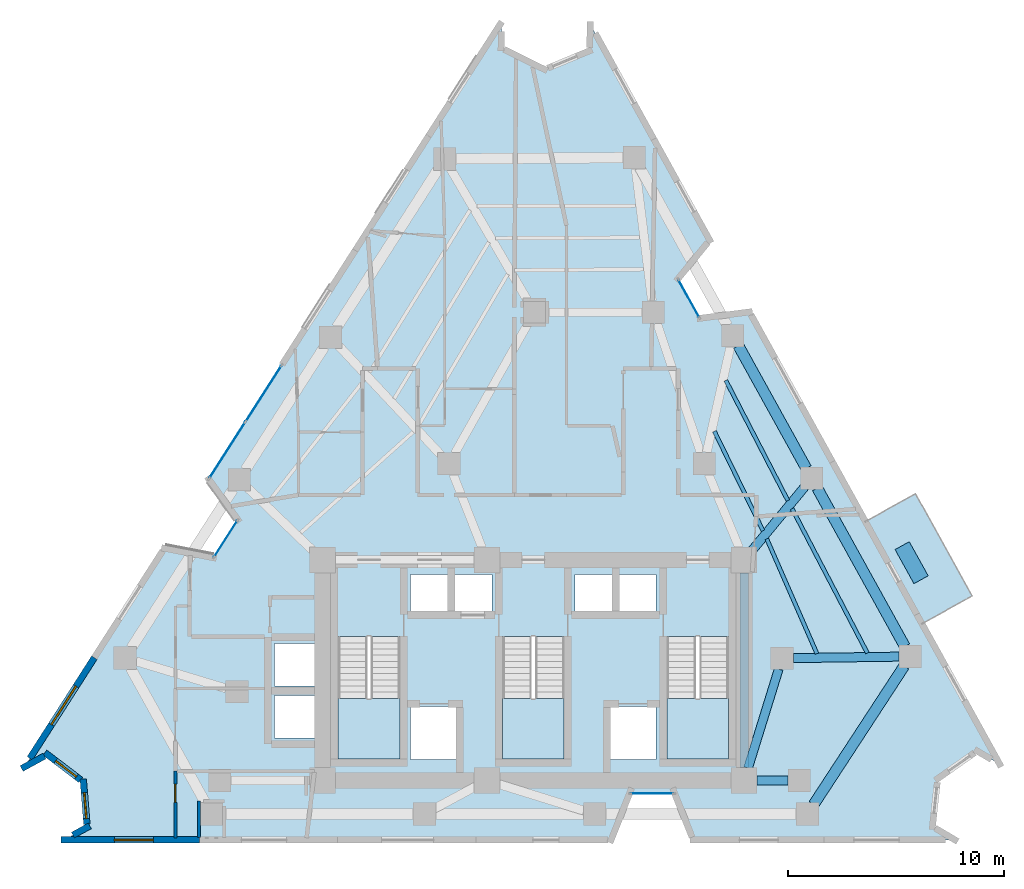
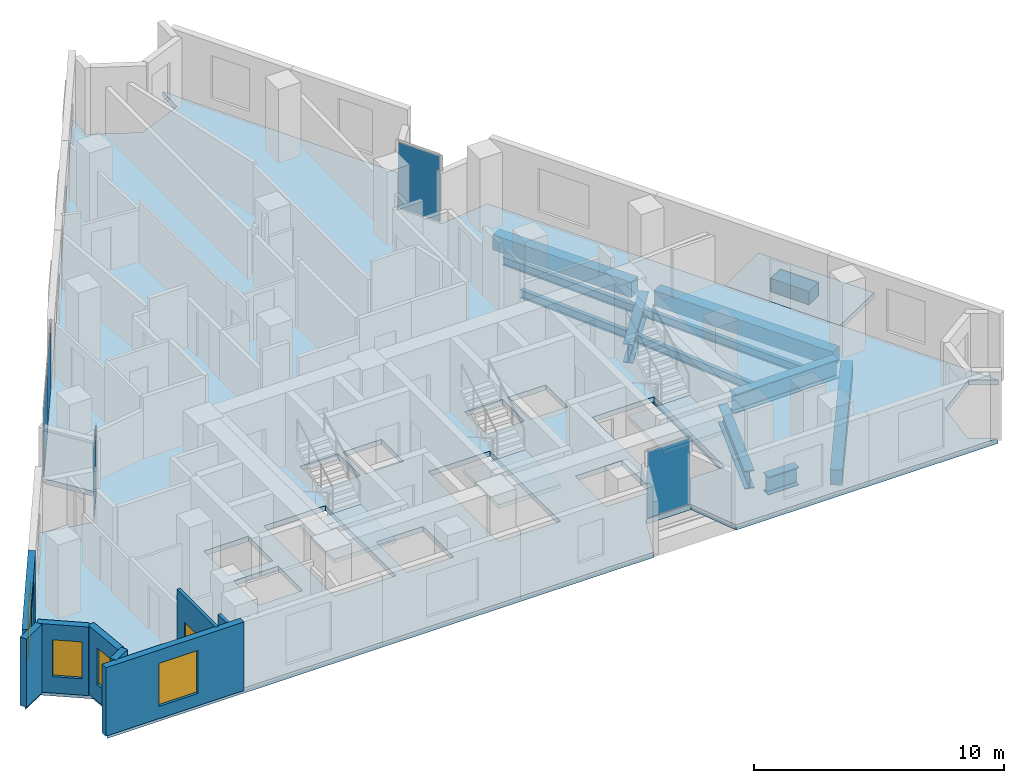
# One storey, part 4 of 11: 12 beams, 8 walls, 6 plates, 5 slabs, 4 windows, 1 door, 5 openings, 7 elements without a shape of their own.
"""IFC4 building model written with IfcOpenShell, lengths in metres."""

from ifc_helpers import new_model, si_unit, direction, frame, frame_2d, origin, origin_2d, place, context, subcontext, project, spatial, polyline, rectangle, i_section, outline, extrude, material, layer, layer_set, material_profile, profile_set, type_object, element, fill, aggregate, save


model = new_model("IFC4")

# Units and contexts
model_context = context("Model", 3, precision=1e-05, world=origin(), true_north=direction((0.0, 1.0)))
body_context = subcontext(model_context, "Body", "Model", "MODEL_VIEW")
ifc_project = project(units=[si_unit("LENGTHUNIT", "METRE"), si_unit("AREAUNIT", "SQUARE_METRE"), si_unit("VOLUMEUNIT", "CUBIC_METRE"), si_unit("PLANEANGLEUNIT", "RADIAN"), si_unit("MASSUNIT", "GRAM", prefix="KILO")], contexts=[model_context])

# Site, building, storey
site_placement = place(None, origin())
site = spatial("IfcSite", under=ifc_project, at=site_placement, CompositionType="ELEMENT")
building_placement = place(site_placement, origin())
building = spatial("IfcBuilding", under=site, at=building_placement, Name="Almagre Mirador Tower", CompositionType="ELEMENT")
storey_placement = place(building_placement, frame((0.0, 0.0, 157.199951171875)))
storey = spatial("IfcBuildingStorey", under=building, at=storey_placement, Name="L40", CompositionType="ELEMENT", Elevation=157.199951171875)

# Beams
ifc_material_1 = material(Name="Steel ASTM A992 Grade 50", Category="steel")
ifc_material_profile_1 = material_profile(ifc_material_1, i_section(OverallWidth=0.178955078125, OverallDepth=0.408935546875, WebThickness=0.0087890625, FlangeThickness=0.014404296875, FilletRadius=0.013916015625, at=origin_2d()), Name="W16X45")
ifc_profile_set_1 = profile_set([ifc_material_profile_1], Name="Steel ASTM A992 Grade 50")
beam_type_1 = type_object("IfcBeamType", Name="BM-JST-W16X45", PredefinedType="JOIST", material=ifc_profile_set_1)
beam_1_placement = place(storey_placement, frame((52.744873046875, 10.44189453125, -0.454345703125), z_axis=(-0.462461864281, 0.886639173557, 0.0), x_axis=(-0.886639173557, -0.462461864281, 0.0)))
element("IfcBeam", 1, at=beam_1_placement, inside=storey, type_object=beam_type_1, Name="L40 secondary floor joist PC05-PC06.1", PredefinedType="JOIST", context=body_context, shape_type="SweptSolid", body=[
    extrude(i_section(OverallWidth=0.178955078125, OverallDepth=0.408935546875, WebThickness=0.0087890625, FlangeThickness=0.014404296875, FilletRadius=0.013916015625, at=origin_2d()), origin(), (0.0, 0.0, 1.0), 7.53125),
])
beam_2_placement = place(storey_placement, frame((50.413330078125, 10.415283203125, -0.454345703125), z_axis=(-0.400714832281, 0.91620282863, 0.0), x_axis=(-0.91620282863, -0.400714832281, 0.0)))
element("IfcBeam", 2, at=beam_2_placement, inside=storey, type_object=beam_type_1, Name="L40 secondary floor joist PC05-PC06.3", PredefinedType="JOIST", context=body_context, shape_type="SweptSolid", body=[
    extrude(i_section(OverallWidth=0.178955078125, OverallDepth=0.408935546875, WebThickness=0.0087890625, FlangeThickness=0.014404296875, FilletRadius=0.013916015625, at=origin_2d()), origin(), (0.0, 0.0, 1.0), 5.7880859375),
])
beam_3_placement = place(storey_placement, frame((49.069580078125, 17.490478515625, -0.454345703125), z_axis=(-0.458793060053, 0.888543149232, 0.0), x_axis=(-0.888543149232, -0.458793060053, 0.0)))
element("IfcBeam", 3, at=beam_3_placement, inside=storey, type_object=beam_type_1, Name="L40 secondary floor joist PC06-PC07.1", PredefinedType="JOIST", context=body_context, shape_type="SweptSolid", body=[
    extrude(i_section(OverallWidth=0.178955078125, OverallDepth=0.408935546875, WebThickness=0.0087890625, FlangeThickness=0.014404296875, FilletRadius=0.013916015625, at=origin_2d()), origin(), (0.0, 0.0, 1.0), 6.254150390625),
])
beam_4_placement = place(storey_placement, frame((47.91845703125, 16.097412109375, -0.454345703125), z_axis=(-0.439128899416, 0.898424070079, 0.0), x_axis=(-0.898424070079, -0.439128899416, 0.0)))
element("IfcBeam", 4, at=beam_4_placement, inside=storey, type_object=beam_type_1, Name="L40 secondary floor joist PC06-PC07.3", PredefinedType="JOIST", context=body_context, shape_type="SweptSolid", body=[
    extrude(i_section(OverallWidth=0.178955078125, OverallDepth=0.408935546875, WebThickness=0.0087890625, FlangeThickness=0.014404296875, FilletRadius=0.013916015625, at=origin_2d()), origin(), (0.0, 0.0, 1.0), 5.12109375),
])
ifc_material_2 = material(Name="Precast concrete C50/60", Category="concrete")
ifc_material_profile_2 = material_profile(ifc_material_2, rectangle(XDim=0.5, YDim=0.75, at=origin_2d()), Name="RC500X750")
ifc_profile_set_2 = profile_set([ifc_material_profile_2], Name="Precast concrete C50/60")
beam_type_2 = type_object("IfcBeamType", Name="BM-SPN-RC500X750", PredefinedType="SPANDREL", material=ifc_profile_set_2)
beam_5_placement = place(storey_placement, frame((50.26318359375, 3.439453125, -0.625), z_axis=(0.546935461459, 0.83717477327, 0.0), x_axis=(-0.83717477327, 0.546935461459, 0.0)))
element("IfcBeam", 5, at=beam_5_placement, inside=storey, type_object=beam_type_2, Name="L40 perimeter spandrel beam PC04-PC05", PredefinedType="SPANDREL", context=body_context, shape_type="SweptSolid", body=[
    extrude(rectangle(XDim=0.5, YDim=0.75, at=origin_2d()), origin(), (0.0, 0.0, 1.0), 7.649658203125),
])
beam_6_placement = place(storey_placement, frame((54.479736328125, 10.742431640625, -0.625), z_axis=(-0.484193045523, 0.874961196092, 0.0), x_axis=(-0.874961196092, -0.484193045523, 0.0)))
element("IfcBeam", 6, at=beam_6_placement, inside=storey, type_object=beam_type_2, Name="L40 perimeter spandrel beam PC05-PC06", PredefinedType="SPANDREL", context=body_context, shape_type="SweptSolid", body=[
    extrude(rectangle(XDim=0.5, YDim=0.75, at=origin_2d()), origin(), (0.0, 0.0, 1.0), 8.36767578125),
])
beam_7_placement = place(storey_placement, frame((49.919921875, 18.982421875, -0.625), z_axis=(-0.484219637984, 0.874946479615, 0.0), x_axis=(-0.874946479615, -0.484219637984, 0.0)))
element("IfcBeam", 7, at=beam_7_placement, inside=storey, type_object=beam_type_2, Name="L40 perimeter spandrel beam PC06-PC07", PredefinedType="SPANDREL", context=body_context, shape_type="SweptSolid", body=[
    extrude(rectangle(XDim=0.5, YDim=0.75, at=origin_2d()), origin(), (0.0, 0.0, 1.0), 6.48388671875),
])
ifc_material_3 = material(Name="Steel ASTM A992 Grade 50", Category="steel")
ifc_material_profile_3 = material_profile(ifc_material_3, i_section(OverallWidth=0.404052734375, OverallDepth=0.884033203125, WebThickness=0.0244140625, FlangeThickness=0.0439453125, FilletRadius=0.02490234375, at=origin_2d()), Name="W33X291")
ifc_profile_set_3 = profile_set([ifc_material_profile_3], Name="Steel ASTM A992 Grade 50")
beam_type_3 = type_object("IfcBeamType", Name="BM-STL-W33X291", PredefinedType="BEAM", material=ifc_profile_set_3)
beam_8_placement = place(storey_placement, frame((47.050048828125, 5.14990234375, -0.69189453125), z_axis=(0.0, 1.0, 0.0), x_axis=(-1.0, 0.0, 0.0)))
element("IfcBeam", 8, at=beam_8_placement, inside=storey, type_object=beam_type_3, Name="L40 core tie girder CC3-CC6", PredefinedType="BEAM", context=body_context, shape_type="SweptSolid", body=[
    extrude(i_section(OverallWidth=0.404052734375, OverallDepth=0.884033203125, WebThickness=0.0244140625, FlangeThickness=0.0439453125, FilletRadius=0.02490234375, at=origin_2d()), origin(), (0.0, 0.0, 1.0), 9.0),
])
beam_9_placement = place(storey_placement, frame((49.074951171875, 4.550048828125, -0.69189453125), z_axis=(-1.0, 0.0, 0.0), x_axis=(0.0, -1.0, 0.0)))
element("IfcBeam", 9, at=beam_9_placement, inside=storey, type_object=beam_type_3, Name="L40 core tie girder MC2-CC3", PredefinedType="BEAM", context=body_context, shape_type="SweptSolid", body=[
    extrude(i_section(OverallWidth=0.404052734375, OverallDepth=0.884033203125, WebThickness=0.0244140625, FlangeThickness=0.0439453125, FilletRadius=0.02490234375, at=origin_2d()), origin(), (0.0, 0.0, 1.0), 1.425048828125),
])
beam_10_placement = place(storey_placement, frame((48.644775390625, 9.698486328125, -0.69189453125), z_axis=(-0.295879743348, -0.955225197258, 0.0), x_axis=(0.955225197258, -0.295879743348, 0.0)))
element("IfcBeam", 10, at=beam_10_placement, inside=storey, type_object=beam_type_3, Name="L40 core tie girder MC3-CC3", PredefinedType="BEAM", context=body_context, shape_type="SweptSolid", body=[
    extrude(i_section(OverallWidth=0.404052734375, OverallDepth=0.884033203125, WebThickness=0.0244140625, FlangeThickness=0.0439453125, FilletRadius=0.02490234375, at=origin_2d()), origin(), (0.0, 0.0, 1.0), 4.789794921875),
])
ifc_material_4 = material(Name="Steel ASTM A992 Grade 50", Category="steel")
ifc_material_profile_4 = material_profile(ifc_material_4, i_section(OverallWidth=0.41796875, OverallDepth=0.927001953125, WebThickness=0.019287109375, FlangeThickness=0.031982421875, FilletRadius=0.028076171875, at=origin_2d()), Name="W36X231")
ifc_profile_set_4 = profile_set([ifc_material_profile_4], Name="Steel ASTM A992 Grade 50")
beam_type_4 = type_object("IfcBeamType", Name="BM-STL-W36X231", PredefinedType="BEAM", material=ifc_profile_set_4)
beam_11_placement = place(storey_placement, frame((54.208984375, 10.275634765625, -0.71337890625), z_axis=(-0.999902063371, -0.013995130105, 0.0), x_axis=(0.013995130105, -0.999902063371, 0.0)))
element("IfcBeam", 11, at=beam_11_placement, inside=storey, type_object=beam_type_4, Name="L40 radial floor girder PC05-MC3", PredefinedType="BEAM", context=body_context, shape_type="SweptSolid", body=[
    extrude(i_section(OverallWidth=0.41796875, OverallDepth=0.927001953125, WebThickness=0.019287109375, FlangeThickness=0.031982421875, FilletRadius=0.028076171875, at=origin_2d()), origin(), (0.0, 0.0, 1.0), 4.884521484375),
])
beam_12_placement = place(storey_placement, frame((49.839111328125, 18.11865234375, -0.71337890625), z_axis=(-0.637743806267, -0.770248555707, 0.0), x_axis=(0.770248555707, -0.637743806267, 0.0)))
element("IfcBeam", 12, at=beam_12_placement, inside=storey, type_object=beam_type_4, Name="L40 radial floor girder PC06-CC6", PredefinedType="BEAM", context=body_context, shape_type="SweptSolid", body=[
    extrude(i_section(OverallWidth=0.41796875, OverallDepth=0.927001953125, WebThickness=0.019287109375, FlangeThickness=0.031982421875, FilletRadius=0.028076171875, at=origin_2d()), origin(), (0.0, 0.0, 1.0), 3.7734375),
])

# Curtain wall, plate
ifc_material_5 = material(Name="Black anodized aluminium", Category="aluminium")
ifc_layer_1 = layer(ifc_material_5, 0.169921875)
ifc_layer_set_1 = layer_set([ifc_layer_1], Name="Black anodized aluminium")
curtain_wall_type_1 = type_object("IfcCurtainWallType", Name="CW-CRS-SYS", PredefinedType="NOTDEFINED", material=ifc_layer_set_1)
curtain_wall_1_placement = place(storey_placement, origin())
curtain_wall_1 = element("IfcCurtainWall", 13, at=curtain_wall_1_placement, inside=storey, type_object=curtain_wall_type_1, Name="L40 vertical crease curtain wall 01", PredefinedType="NOTDEFINED")
ifc_material_6 = material(Name="Dark solar-control laminated hurricane glass", Category="glass")
ifc_layer_2 = layer(ifc_material_6, 0.028076171875)
ifc_layer_set_2 = layer_set([ifc_layer_2], Name="Dark solar-control laminated hurricane glass")
plate_type_1 = type_object("IfcPlateType", Name="PLT-GLZ-28", PredefinedType="CURTAIN_PANEL", material=ifc_layer_set_2)
plate_1_placement = place(storey_placement, frame((23.076904296875, 15.72607421875, 0.06005859375), z_axis=(0.0, 0.0, 1.0), x_axis=(0.539596564827, 0.841923718176, 0.0)))
plate_1 = element("IfcPlate", 14, at=plate_1_placement, type_object=plate_type_1, Name="CW-4 panel 1.1", PredefinedType="CURTAIN_PANEL", context=body_context, shape_type="SweptSolid", body=[
    extrude(rectangle(XDim=1.970458984375, YDim=0.028076171875, at=origin_2d()), origin(), (0.0, 0.0, 1.0), 3.22998046875),
])
aggregate(curtain_wall_1, [plate_1])

curtain_wall_2_placement = place(storey_placement, origin())
curtain_wall_2 = element("IfcCurtainWall", 15, at=curtain_wall_2_placement, inside=storey, type_object=curtain_wall_type_1, Name="L40 vertical crease curtain wall 03", PredefinedType="NOTDEFINED")
plate_2_placement = place(storey_placement, frame((44.490966796875, 26.8310546875, 0.06005859375), z_axis=(0.0, 0.0, 1.0), x_axis=(0.48434204979, -0.874878722341, 0.0)))
plate_2 = element("IfcPlate", 16, at=plate_2_placement, type_object=plate_type_1, Name="CW-4 panel 1.1", PredefinedType="CURTAIN_PANEL", context=body_context, shape_type="SweptSolid", body=[
    extrude(rectangle(XDim=1.969482421875, YDim=0.028076171875, at=origin_2d()), origin(), (0.0, 0.0, 1.0), 3.22998046875),
])
aggregate(curtain_wall_2, [plate_2])

curtain_wall_3_placement = place(storey_placement, origin())
curtain_wall_3 = element("IfcCurtainWall", 17, at=curtain_wall_3_placement, inside=storey, type_object=curtain_wall_type_1, Name="L40 vertical crease curtain wall 04", PredefinedType="NOTDEFINED")
plate_3_placement = place(storey_placement, frame((42.7919921875, 3.949951171875, 0.06005859375), z_axis=(0.0, 0.0, 1.0), x_axis=(-1.0, 0.0, 0.0)))
plate_3 = element("IfcPlate", 18, at=plate_3_placement, type_object=plate_type_1, Name="CW-4 panel 1.1", PredefinedType="CURTAIN_PANEL", context=body_context, shape_type="SweptSolid", body=[
    extrude(rectangle(XDim=1.969970703125, YDim=0.028076171875, at=origin_2d()), origin(), (0.0, 0.0, 1.0), 3.22998046875),
])
aggregate(curtain_wall_3, [plate_3])

# Curtain wall, plates
ifc_material_7 = material(Name="Black anodized aluminium", Category="aluminium")
ifc_layer_3 = layer(ifc_material_7, 0.199951171875)
ifc_layer_set_3 = layer_set([ifc_layer_3], Name="Black anodized aluminium")
curtain_wall_type_2 = type_object("IfcCurtainWallType", Name="CW-RES-H-SYS", PredefinedType="NOTDEFINED", material=ifc_layer_set_3)
curtain_wall_4_placement = place(storey_placement, origin())
curtain_wall_4 = element("IfcCurtainWall", 19, at=curtain_wall_4_placement, inside=storey, type_object=curtain_wall_type_2, Name="L40 curtain wall run 02", PredefinedType="NOTDEFINED")
ifc_material_8 = material(Name="Dark solar-control laminated hurricane glass", Category="glass")
ifc_layer_4 = layer(ifc_material_8, 0.035888671875)
ifc_layer_set_4 = layer_set([ifc_layer_4], Name="Dark solar-control laminated hurricane glass")
plate_type_2 = type_object("IfcPlateType", Name="PLT-GLZ-36", PredefinedType="CURTAIN_PANEL", material=ifc_layer_set_4)
plate_4_placement = place(storey_placement, frame((23.147705078125, 19.8203125, 0.06494140625), z_axis=(0.0, 0.0, 1.0), x_axis=(0.539506915253, 0.841981168669, 0.0)))
plate_4 = element("IfcPlate", 20, at=plate_4_placement, type_object=plate_type_2, Name="CW-3 panel 1.1", PredefinedType="CURTAIN_PANEL", context=body_context, shape_type="SweptSolid", body=[
    extrude(rectangle(XDim=3.0419921875, YDim=0.035888671875, at=origin_2d()), origin(), (0.0, 0.0, 1.0), 3.219970703125),
])
plate_5_placement = place(storey_placement, frame((24.823974609375, 22.436279296875, 0.06494140625), z_axis=(0.0, 0.0, 1.0), x_axis=(0.539506915253, 0.841981168669, 0.0)))
plate_5 = element("IfcPlate", 21, at=plate_5_placement, type_object=plate_type_2, Name="CW-3 panel 2.1", PredefinedType="CURTAIN_PANEL", context=body_context, shape_type="SweptSolid", body=[
    extrude(rectangle(XDim=3.0419921875, YDim=0.035888671875, at=origin_2d()), origin(), (0.0, 0.0, 1.0), 3.219970703125),
])
aggregate(curtain_wall_4, [plate_4, plate_5])

# Plate
ifc_material_9 = material(Name="Precast concrete C50/60", Category="concrete")
ifc_layer_5 = layer(ifc_material_9, 0.64990234375)
ifc_layer_set_5 = layer_set([ifc_layer_5], Name="Precast concrete C50/60")
plate_type_3 = type_object("IfcPlateType", Name="PLT-PLANTER-1800", PredefinedType="USERDEFINED", material=ifc_layer_set_5)
plate_6_placement = place(storey_placement, frame((54.791015625, 14.6201171875, 0.0), z_axis=(0.0, 0.0, 1.0), x_axis=(-0.484198902407, 0.874957954937, 0.0)))
element("IfcPlate", 22, at=plate_6_placement, inside=storey, type_object=plate_type_3, Name="L40 east balcony structural tree planter 1", ObjectType="PLANTER", PredefinedType="USERDEFINED", context=body_context, shape_type="SweptSolid", body=[
    extrude(rectangle(XDim=1.800048828125, YDim=0.75, at=origin_2d()), origin(), (0.0, 0.0, 1.0), 0.64990234375),
])

# Slabs
ifc_material_10 = material(Name="Concrete C45/55", Category="concrete")
ifc_layer_6 = layer(ifc_material_10, 0.239990234375)
ifc_layer_set_6 = layer_set([ifc_layer_6], Name="Concrete C45/55")
slab_type_1 = type_object("IfcSlabType", Name="SLB-BAL-240", PredefinedType="USERDEFINED", material=ifc_layer_set_6)
slab_1_placement = place(storey_placement, frame((0.0, 0.0, -0.239990234375)))
element("IfcSlab", 23, at=slab_1_placement, inside=storey, type_object=slab_type_1, Name="L40 east planted tree balcony 1", ObjectType="BALCONY", PredefinedType="USERDEFINED", context=body_context, shape_type="SweptSolid", body=[
    extrude(outline(polyline([(55.25, 11.7880859375), (52.635986328125, 16.511962890625), (54.970947265625, 17.805908203125), (57.5859375, 13.0810546875), (55.25, 11.7880859375)])), origin(), (0.0, 0.0, 1.0), 0.239990234375),
])
ifc_material_11 = material(Name="Concrete C45/55", Category="concrete")
ifc_layer_7 = layer(ifc_material_11, 0.25)
ifc_layer_set_7 = layer_set([ifc_layer_7], Name="Concrete C45/55")
slab_type_2 = type_object("IfcSlabType", Name="SLB-FLR-250", PredefinedType="FLOOR", material=ifc_layer_set_7)
slab_2_placement = place(storey_placement, frame((0.0, 0.0, -0.25)))
element("IfcSlab", 24, at=slab_2_placement, inside=storey, type_object=slab_type_2, Name="L40 structural floor slab", PredefinedType="FLOOR", context=body_context, shape_type="SweptSolid", body=[
    extrude(outline(polyline([(13.758056640625, 5.16796875), (14.823974609375, 5.7509765625), (16.49609375, 4.47705078125), (16.666015625, 2.383056640625), (15.60009765625, 1.800048828125), (40.89208984375, 1.800048828125), (41.7470703125, 3.949951171875), (43.8369140625, 3.949951171875), (44.69189453125, 1.800048828125), (56.800048828125, 1.800048828125), (55.7529296875, 2.4169921875), (55.992919921875, 4.634033203125), (57.81689453125, 5.9169921875), (58.863037109375, 5.300048828125), (47.2919921875, 26.2099609375), (44.9970703125, 25.9169921875), (43.985107421875, 27.7451171875), (45.451904296875, 29.533935546875), (39.93701171875, 39.5), (39.89794921875, 38.285888671875), (37.820068359375, 37.423095703125), (35.802978515625, 38.41796875), (35.842041015625, 39.632080078125), (22.2919921875, 18.485107421875), (23.64111328125, 16.60595703125), (22.512939453125, 14.845947265625), (20.240966796875, 15.285888671875), (13.758056640625, 5.16796875)]), holes=[polyline([(43.47509765625, 5.550048828125), (43.47509765625, 11.196044921875), (46.324951171875, 11.196044921875), (46.324951171875, 5.550048828125), (43.47509765625, 5.550048828125)]), polyline([(40.820068359375, 5.52001953125), (40.820068359375, 7.97998046875), (42.97998046875, 7.97998046875), (42.97998046875, 5.52001953125), (40.820068359375, 5.52001953125)]), polyline([(41.219970703125, 12.320068359375), (41.219970703125, 14.080078125), (42.97998046875, 14.080078125), (42.97998046875, 12.320068359375), (41.219970703125, 12.320068359375)]), polyline([(39.219970703125, 12.320068359375), (39.219970703125, 14.080078125), (40.97998046875, 14.080078125), (40.97998046875, 12.320068359375), (39.219970703125, 12.320068359375)]), polyline([(35.875, 11.196044921875), (38.72509765625, 11.196044921875), (38.72509765625, 5.550048828125), (35.875, 5.550048828125), (35.875, 11.196044921875)]), polyline([(35.3798828125, 12.320068359375), (33.6201171875, 12.320068359375), (33.6201171875, 14.080078125), (35.3798828125, 14.080078125), (35.3798828125, 12.320068359375)]), polyline([(33.780029296875, 5.52001953125), (31.6201171875, 5.52001953125), (31.6201171875, 7.97998046875), (33.780029296875, 7.97998046875), (33.780029296875, 5.52001953125)]), polyline([(31.6201171875, 12.320068359375), (31.6201171875, 14.080078125), (33.3798828125, 14.080078125), (33.3798828125, 12.320068359375), (31.6201171875, 12.320068359375)]), polyline([(28.27490234375, 5.550048828125), (28.27490234375, 11.196044921875), (31.125, 11.196044921875), (31.125, 5.550048828125), (28.27490234375, 5.550048828125)]), polyline([(25.320068359375, 8.919921875), (25.320068359375, 10.8798828125), (27.3798828125, 10.8798828125), (27.3798828125, 8.919921875), (25.320068359375, 8.919921875)]), polyline([(27.3798828125, 6.52001953125), (25.320068359375, 6.52001953125), (25.320068359375, 8.47998046875), (27.3798828125, 8.47998046875), (27.3798828125, 6.52001953125)])]), origin(), (0.0, 0.0, 1.0), 0.25),
])

# Stair, slab
ifc_material_12 = material(Name="Concrete C45/55", Category="concrete")
stair_type = type_object("IfcStairType", Name="STR-DL-3600", PredefinedType="HALF_TURN_STAIR", material=ifc_material_12)
stair_1_placement = place(storey_placement, origin())
stair_1 = element("IfcStair", 25, at=stair_1_placement, inside=storey, type_object=stair_type, Name="L40 Protected exit stair ST-1", PredefinedType="HALF_TURN_STAIR")
ifc_material_13 = material(Name="Concrete C45/55", Category="concrete")
ifc_layer_8 = layer(ifc_material_13, 0.199951171875)
ifc_layer_set_8 = layer_set([ifc_layer_8], Name="Concrete C45/55")
slab_type_3 = type_object("IfcSlabType", Name="SLB-LND-200", PredefinedType="LANDING", material=ifc_layer_set_8)
slab_3_placement = place(storey_placement, frame((0.0, 0.0, 1.60009765625)))
slab_3 = element("IfcSlab", 26, at=slab_3_placement, type_object=slab_type_3, Name="ST-1 landing 1", PredefinedType="LANDING", context=body_context, shape_type="SweptSolid", body=[
    extrude(outline(polyline([(28.27490234375, 8.35009765625), (28.27490234375, 5.550048828125), (31.125, 5.550048828125), (31.125, 8.35009765625), (28.27490234375, 8.35009765625)])), origin(), (0.0, 0.0, 1.0), 0.199951171875),
])
aggregate(stair_1, [slab_3])

stair_2_placement = place(storey_placement, origin())
stair_2 = element("IfcStair", 27, at=stair_2_placement, inside=storey, type_object=stair_type, Name="L40 Protected exit stair ST-2", PredefinedType="HALF_TURN_STAIR")
slab_4_placement = place(storey_placement, frame((0.0, 0.0, 1.60009765625)))
slab_4 = element("IfcSlab", 28, at=slab_4_placement, type_object=slab_type_3, Name="ST-2 landing 1", PredefinedType="LANDING", context=body_context, shape_type="SweptSolid", body=[
    extrude(outline(polyline([(35.875, 8.35009765625), (35.875, 5.550048828125), (38.72509765625, 5.550048828125), (38.72509765625, 8.35009765625), (35.875, 8.35009765625)])), origin(), (0.0, 0.0, 1.0), 0.199951171875),
])
aggregate(stair_2, [slab_4])

stair_3_placement = place(storey_placement, origin())
stair_3 = element("IfcStair", 29, at=stair_3_placement, inside=storey, type_object=stair_type, Name="L40 Protected exit stair ST-3", PredefinedType="HALF_TURN_STAIR")
slab_5_placement = place(storey_placement, frame((0.0, 0.0, 1.60009765625)))
slab_5 = element("IfcSlab", 30, at=slab_5_placement, type_object=slab_type_3, Name="ST-3 landing 1", PredefinedType="LANDING", context=body_context, shape_type="SweptSolid", body=[
    extrude(outline(polyline([(43.47509765625, 8.35009765625), (43.47509765625, 5.550048828125), (46.324951171875, 5.550048828125), (46.324951171875, 8.35009765625), (43.47509765625, 8.35009765625)])), origin(), (0.0, 0.0, 1.0), 0.199951171875),
])
aggregate(stair_3, [slab_5])

# Wall, opening, window
ifc_material_14 = material(Name="Precast concrete C50/60", Category="concrete")
ifc_layer_9 = layer(ifc_material_14, 0.300048828125)
ifc_layer_set_9 = layer_set([ifc_layer_9], Name="Precast concrete C50/60")
wall_type_1 = type_object("IfcWallType", Name="WAL-EXT-300", PredefinedType="SOLIDWALL", material=ifc_layer_set_9)
wall_1_placement = place(storey_placement, frame((21.85302734375, 1.800048828125, 0.0), z_axis=(0.0, 0.0, 1.0), x_axis=(-1.0, 0.0, 0.0)))
wall_1 = element("IfcWall", 31, at=wall_1_placement, inside=storey, type_object=wall_type_1, Name="L40 expressed almagre precast frame wall 28", PredefinedType="SOLIDWALL", context=body_context, shape_type="SweptSolid", body=[
    extrude(rectangle(XDim=6.39306640625, YDim=0.300048828125, at=frame_2d((3.196533203125, 0.0))), origin(), (0.0, 0.0, 1.0), 3.35009765625),
])
opening_1_placement = place(wall_1_placement, frame((2.125, 0.0, 0.60009765625)))
opening_1 = element("IfcOpeningElement", 32, at=opening_1_placement, cuts=wall_1, Name="Opening WN-01", PredefinedType="OPENING", context=body_context, shape_type="SweptSolid", body=[
    extrude(rectangle(XDim=1.800048828125, YDim=2.10009765625, at=frame_2d((0.89990234375, 1.050048828125))), frame((0.0, 0.159902, 0.0), z_axis=(0.0, -1.0, 0.0), x_axis=(1.0, 0.0, 0.0)), (0.0, 0.0, 1.0), 0.320049),
])
ifc_material_15 = material(Name="Dark solar-control laminated hurricane glass", Category="glass")
window_type_1 = type_object("IfcWindowType", Name="WIN-1800X2100", PartitioningType="DOUBLE_PANEL_VERTICAL", PredefinedType="WINDOW", material=ifc_material_15)
window_1_placement = place(opening_1_placement, origin())
window_1 = element("IfcWindow", 33, at=window_1_placement, inside=storey, type_object=window_type_1, Name="L40 recessed hurricane window L40-UA-LV", OverallHeight=2.10009765625, OverallWidth=1.800048828125, PartitioningType="SINGLE_PANEL", PredefinedType="WINDOW", context=body_context, shape_type="SweptSolid", body=[
    extrude(rectangle(XDim=1.800048828125, YDim=2.10009765625, at=frame_2d((0.89990234375, 1.050048828125))), frame((0.0, 0.030029296875, 0.0), z_axis=(0.0, -1.0, 0.0), x_axis=(1.0, 0.0, 0.0)), (0.0, 0.0, 1.0), 0.06005859375),
])
fill(opening_1, window_1)

# Wall
wall_2_placement = place(storey_placement, frame((16.012451171875, 2.025390625, 0.0), z_axis=(0.0, 0.0, 1.0), x_axis=(0.877262241919, 0.480011415389, 0.0)))
element("IfcWall", 34, at=wall_2_placement, inside=storey, type_object=wall_type_1, Name="L40 expressed almagre precast frame wall 29", PredefinedType="SOLIDWALL", context=body_context, shape_type="SweptSolid", body=[
    extrude(rectangle(XDim=0.885009765625, YDim=0.300048828125, at=frame_2d((0.4423828125, 0.0))), origin(), (0.0, 0.0, 1.0), 3.35009765625),
])

# Wall, opening, window
wall_3_placement = place(storey_placement, frame((16.654296875, 2.527587890625, 0.0), z_axis=(0.0, 0.0, 1.0), x_axis=(-0.080962879454, 0.996717117416, 0.0)))
wall_3 = element("IfcWall", 35, at=wall_3_placement, inside=storey, type_object=wall_type_1, Name="L40 expressed almagre precast frame wall 30", PredefinedType="SOLIDWALL", context=body_context, shape_type="SweptSolid", body=[
    extrude(rectangle(XDim=2.095703125, YDim=0.300048828125, at=frame_2d((1.0478515625, 0.0))), origin(), (0.0, 0.0, 1.0), 3.35009765625),
])
opening_2_placement = place(wall_3_placement, frame((0.264892578125, 0.0, 0.800048828125)))
opening_2 = element("IfcOpeningElement", 36, at=opening_2_placement, cuts=wall_3, Name="Opening WN-04", PredefinedType="OPENING", context=body_context, shape_type="SweptSolid", body=[
    extrude(rectangle(XDim=1.199951171875, YDim=1.800048828125, at=frame_2d((0.60009765625, 0.89990234375))), frame((0.0, 0.159902, 0.0), z_axis=(0.0, -1.0, 0.0), x_axis=(1.0, 0.0, 0.0)), (0.0, 0.0, 1.0), 0.320049),
])
ifc_material_16 = material(Name="Dark solar-control laminated hurricane glass", Category="glass")
window_type_2 = type_object("IfcWindowType", Name="WIN-1200X1800", PartitioningType="SINGLE_PANEL", PredefinedType="WINDOW", material=ifc_material_16)
window_2_placement = place(opening_2_placement, origin())
window_2 = element("IfcWindow", 37, at=window_2_placement, inside=storey, type_object=window_type_2, Name="L40 recessed hurricane window L40-UA-LV", OverallHeight=1.800048828125, OverallWidth=1.199951171875, PartitioningType="SINGLE_PANEL", PredefinedType="WINDOW", context=body_context, shape_type="SweptSolid", body=[
    extrude(rectangle(XDim=1.199951171875, YDim=1.800048828125, at=frame_2d((0.60009765625, 0.89990234375))), frame((0.0, 0.030029296875, 0.0), z_axis=(0.0, -1.0, 0.0), x_axis=(1.0, 0.0, 0.0)), (0.0, 0.0, 1.0), 0.06005859375),
])
fill(opening_2, window_2)

wall_4_placement = place(storey_placement, frame((16.376708984375, 4.56787109375, 0.0), z_axis=(0.0, 0.0, 1.0), x_axis=(-0.795383499791, 0.606106499107, 0.0)))
wall_4 = element("IfcWall", 38, at=wall_4_placement, inside=storey, type_object=wall_type_1, Name="L40 expressed almagre precast frame wall 31", PredefinedType="SOLIDWALL", context=body_context, shape_type="SweptSolid", body=[
    extrude(rectangle(XDim=2.092041015625, YDim=0.300048828125, at=frame_2d((1.0458984375, 0.0))), origin(), (0.0, 0.0, 1.0), 3.35009765625),
])
opening_3_placement = place(wall_4_placement, frame((0.260009765625, 0.0, 0.800048828125)))
opening_3 = element("IfcOpeningElement", 39, at=opening_3_placement, cuts=wall_4, Name="Opening WN-04", PredefinedType="OPENING", context=body_context, shape_type="SweptSolid", body=[
    extrude(rectangle(XDim=1.199951171875, YDim=1.800048828125, at=frame_2d((0.60009765625, 0.89990234375))), frame((0.0, 0.159902, 0.0), z_axis=(0.0, -1.0, 0.0), x_axis=(1.0, 0.0, 0.0)), (0.0, 0.0, 1.0), 0.320049),
])
window_3_placement = place(opening_3_placement, origin())
window_3 = element("IfcWindow", 40, at=window_3_placement, inside=storey, type_object=window_type_2, Name="L40 recessed hurricane window L40-UA-LV", OverallHeight=1.800048828125, OverallWidth=1.199951171875, PartitioningType="SINGLE_PANEL", PredefinedType="WINDOW", context=body_context, shape_type="SweptSolid", body=[
    extrude(rectangle(XDim=1.199951171875, YDim=1.800048828125, at=frame_2d((0.60009765625, 0.89990234375))), frame((0.0, 0.030029296875, 0.0), z_axis=(0.0, -1.0, 0.0), x_axis=(1.0, 0.0, 0.0)), (0.0, 0.0, 1.0), 0.06005859375),
])
fill(opening_3, window_3)

# Wall
wall_5_placement = place(storey_placement, frame((14.69677734375, 5.681396484375, 0.0), z_axis=(0.0, 0.0, 1.0), x_axis=(-0.877355211776, -0.47984146587, 0.0)))
element("IfcWall", 41, at=wall_5_placement, inside=storey, type_object=wall_type_1, Name="L40 expressed almagre precast frame wall 32", PredefinedType="SOLIDWALL", context=body_context, shape_type="SweptSolid", body=[
    extrude(rectangle(XDim=1.2099609375, YDim=0.300048828125, at=frame_2d((0.60498046875, 0.0))), origin(), (0.0, 0.0, 1.0), 3.35009765625),
])

# Wall, opening, window
wall_6_placement = place(storey_placement, frame((14.01708984375, 5.572021484375, 0.0), z_axis=(0.0, 0.0, 1.0), x_axis=(0.539464660722, 0.84200824214, 0.0)))
wall_6 = element("IfcWall", 42, at=wall_6_placement, inside=storey, type_object=wall_type_1, Name="L40 expressed almagre precast frame wall 33", PredefinedType="SOLIDWALL", context=body_context, shape_type="SweptSolid", body=[
    extrude(rectangle(XDim=5.528564453125, YDim=0.300048828125, at=frame_2d((2.76416015625, 0.0))), origin(), (0.0, 0.0, 1.0), 3.35009765625),
])
opening_4_placement = place(wall_6_placement, frame((1.85498046875, 0.0, 0.550048828125)))
opening_4 = element("IfcOpeningElement", 43, at=opening_4_placement, cuts=wall_6, Name="Opening WN-05", PredefinedType="OPENING", context=body_context, shape_type="SweptSolid", body=[
    extrude(rectangle(XDim=2.10009765625, YDim=2.39990234375, at=frame_2d((1.050048828125, 1.199951171875))), frame((0.0, 0.159902, 0.0), z_axis=(0.0, -1.0, 0.0), x_axis=(1.0, 0.0, 0.0)), (0.0, 0.0, 1.0), 0.320049),
])
ifc_material_17 = material(Name="Dark solar-control laminated hurricane glass", Category="glass")
window_type_3 = type_object("IfcWindowType", Name="WIN-2100X2400", PartitioningType="DOUBLE_PANEL_VERTICAL", PredefinedType="WINDOW", material=ifc_material_17)
window_4_placement = place(opening_4_placement, origin())
window_4 = element("IfcWindow", 44, at=window_4_placement, inside=storey, type_object=window_type_3, Name="L40 recessed hurricane window L40-UA-LV", OverallHeight=2.39990234375, OverallWidth=2.10009765625, PartitioningType="SINGLE_PANEL", PredefinedType="WINDOW", context=body_context, shape_type="SweptSolid", body=[
    extrude(rectangle(XDim=2.10009765625, YDim=2.39990234375, at=frame_2d((1.050048828125, 1.199951171875))), frame((0.0, 0.030029296875, 0.0), z_axis=(0.0, -1.0, 0.0), x_axis=(1.0, 0.0, 0.0)), (0.0, 0.0, 1.0), 0.06005859375),
])
fill(opening_4, window_4)

# Wall, opening, door
ifc_material_18 = material(Name="Gypsum acoustic stud partition", Category="other")
ifc_layer_10 = layer(ifc_material_18, 0.14990234375)
ifc_layer_set_10 = layer_set([ifc_layer_10], Name="Gypsum acoustic stud partition")
wall_type_2 = type_object("IfcWallType", Name="WAL-PRT-150-STD", PredefinedType="PARTITIONING", material=ifc_layer_set_10)
wall_7_placement = place(storey_placement, frame((20.75, 1.89990234375, 0.0), z_axis=(0.0, 0.0, 1.0), x_axis=(0.0, 1.0, 0.0)))
wall_7 = element("IfcWall", 45, at=wall_7_placement, inside=storey, type_object=wall_type_2, Name="L40 interior partition 027", PredefinedType="PARTITIONING", context=body_context, shape_type="SweptSolid", body=[
    extrude(rectangle(XDim=3.080078125, YDim=0.14990234375, at=frame_2d((1.5400390625, 0.0))), origin(), (0.0, 0.0, 1.0), 3.35009765625),
])
opening_5_placement = place(wall_7_placement, frame((1.634521484375, 0.0, 0.0)))
opening_5 = element("IfcOpeningElement", 46, at=opening_5_placement, cuts=wall_7, Name="Opening UD-04", PredefinedType="OPENING", context=body_context, shape_type="SweptSolid", body=[
    extrude(rectangle(XDim=0.85009765625, YDim=2.10009765625, at=frame_2d((0.425048828125, 1.050048828125))), frame((0.0, 0.084951, 0.0), z_axis=(0.0, -1.0, 0.0), x_axis=(1.0, 0.0, 0.0)), (0.0, 0.0, 1.0), 0.169902),
])
ifc_material_19 = material(Name="Moisture-resistant oak timber", Category="wood")
door_type = type_object("IfcDoorType", Name="DOR-UNR-850X2100", OperationType="NOTDEFINED", PredefinedType="DOOR", material=ifc_material_19)
door_placement = place(opening_5_placement, origin())
door = element("IfcDoor", 47, at=door_placement, inside=storey, type_object=door_type, Name="DR-1297 L40 interior door L40-UA-LV to L40-UA-HB", OperationType="SINGLE_SWING_LEFT", OverallHeight=2.10009765625, OverallWidth=0.85009765625, PredefinedType="DOOR", context=body_context, shape_type="SweptSolid", body=[
    extrude(rectangle(XDim=0.85009765625, YDim=2.10009765625, at=frame_2d((0.425048828125, 1.050048828125))), frame((0.0, 0.02490234375, 0.0), z_axis=(0.0, -1.0, 0.0), x_axis=(1.0, 0.0, 0.0)), (0.0, 0.0, 1.0), 0.050048828125),
])
fill(opening_5, door)

# Wall
wall_8_placement = place(storey_placement, frame((21.840087890625, 1.908935546875, 0.0), z_axis=(0.0, 0.0, 1.0), x_axis=(0.0, 1.0, 0.0)))
element("IfcWall", 48, at=wall_8_placement, inside=storey, type_object=wall_type_2, Name="L40 interior partition 069", PredefinedType="PARTITIONING", context=body_context, shape_type="SweptSolid", body=[
    extrude(rectangle(XDim=1.68115234375, YDim=0.14990234375, at=frame_2d((0.840576171875, 0.0))), origin(), (0.0, 0.0, 1.0), 2.570068359375),
])

save(model, "model.ifc")
